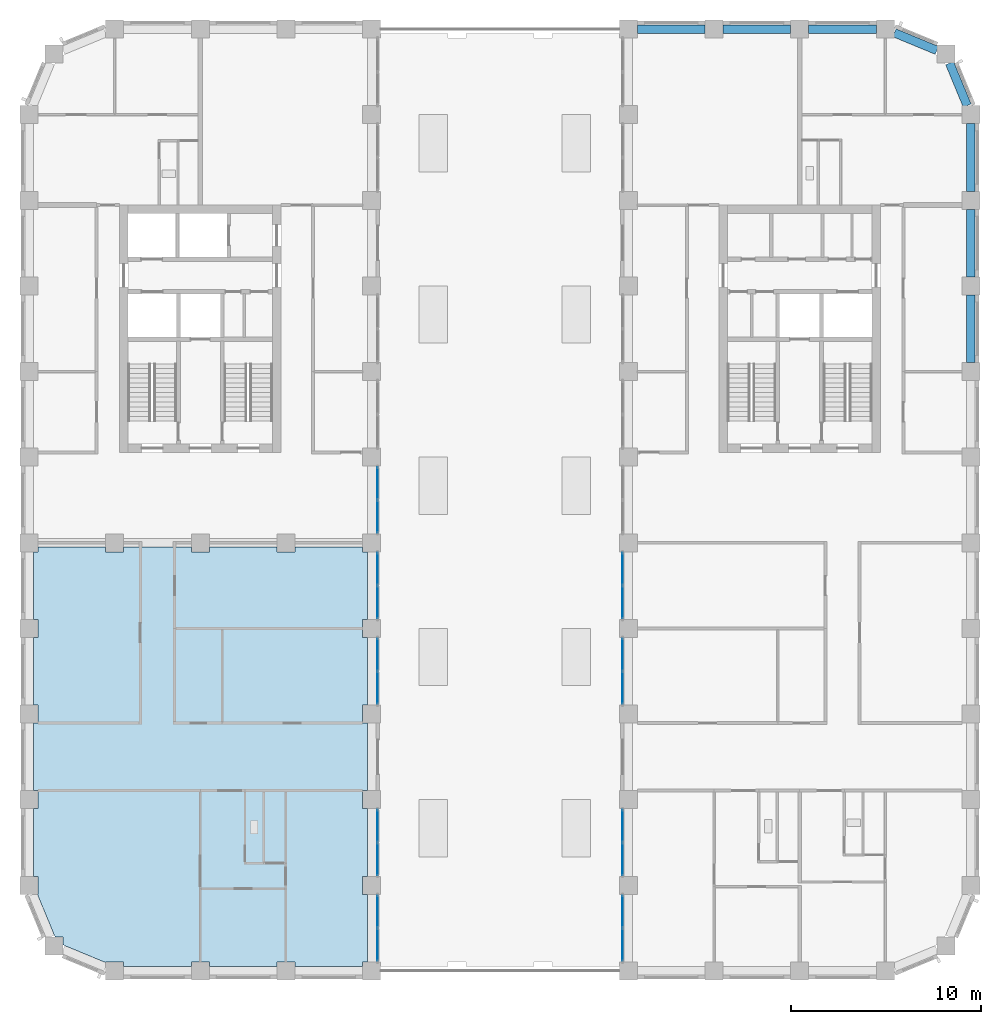
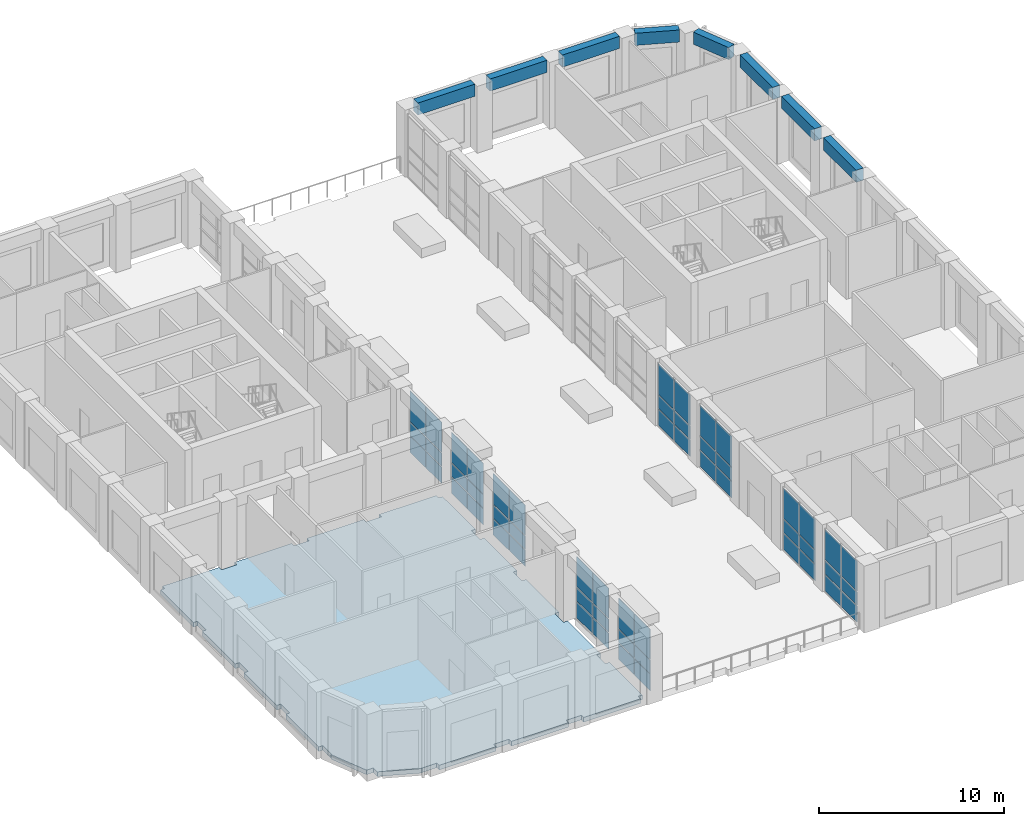
# One storey, part 7 of 20: 54 plates, 8 beams, 1 slab, 9 elements without a shape of their own.
"""IFC4 building model written with IfcOpenShell, lengths in metres."""

from ifc_helpers import new_model, si_unit, direction, frame, origin, origin_2d, place, context, subcontext, project, spatial, polyline, rectangle, outline, extrude, material, layer, layer_set, material_profile, profile_set, type_object, element, aggregate, save


model = new_model("IFC4")

# Units and contexts
model_context = context("Model", 3, precision=1e-05, world=origin(), true_north=direction((0.0, 1.0)))
body_context = subcontext(model_context, "Body", "Model", "MODEL_VIEW")
ifc_project = project(units=[si_unit("LENGTHUNIT", "METRE"), si_unit("AREAUNIT", "SQUARE_METRE"), si_unit("VOLUMEUNIT", "CUBIC_METRE"), si_unit("PLANEANGLEUNIT", "RADIAN"), si_unit("MASSUNIT", "GRAM", prefix="KILO")], contexts=[model_context])

# Site, building, storey
site_placement = place(None, origin())
site = spatial("IfcSite", under=ifc_project, at=site_placement, CompositionType="ELEMENT")
building_placement = place(site_placement, origin())
building = spatial("IfcBuilding", under=site, at=building_placement, Name="Girih Gate Residences", CompositionType="ELEMENT")
storey_placement = place(building_placement, frame((0.0, 0.0, 146.199951171875)))
storey = spatial("IfcBuildingStorey", under=building, at=storey_placement, Name="L41", CompositionType="ELEMENT", Elevation=146.199951171875)

# Beams
ifc_material_1 = material(Name="Concrete C60/75", Category="concrete")
ifc_material_profile = material_profile(ifc_material_1, rectangle(XDim=0.449951171875, YDim=0.800048828125, at=origin_2d()))
ifc_profile_set = profile_set([ifc_material_profile], Name="Concrete C60/75")
beam_type = type_object("IfcBeamType", Name="Spandrel girder RC 450x800 Concrete C60/75", PredefinedType="BEAM", material=ifc_profile_set)
for number, where, z_axis, x_axis, name in (
    (1, (49.5, 31.97509765625, 4.0), (0.0, 1.0, 0.0), (-1.0, 0.0, 0.0), "Spandrel girder SP-P12H-P12I L41"),
    (2, (49.5, 36.47509765625, 4.0), (0.0, 1.0, 0.0), (-1.0, 0.0, 0.0), "Spandrel girder SP-P12I-P12J L41"),
    (3, (49.5, 40.97509765625, 4.0), (0.0, 1.0, 0.0), (-1.0, 0.0, 0.0), "Spandrel girder SP-P12J-P12K L41"),
):
    element("IfcBeam", number, at=place(storey_placement, frame(where, z_axis=z_axis, x_axis=x_axis)), inside=storey, type_object=beam_type, Name=name, PredefinedType="BEAM", context=body_context, shape_type="SweptSolid", body=[
        extrude(rectangle(XDim=0.449951171875, YDim=0.800048828125, at=origin_2d()), origin(), (0.0, 0.0, 1.0), 3.5498046875),
    ])
for number, where, z_axis, x_axis, name in (
    (4, (49.30322265625, 45.47509765625, 4.0), (-0.382705825988, 0.923870256451, 0.0), (-0.923870256451, -0.382705825988, 0.0), "Spandrel girder SP-P12K-P12LSW L41"),
    (5, (47.70703125, 48.378662109375, 4.0), (-0.923870256451, 0.382705825988, 0.0), (-0.382705825988, -0.923870256451, 0.0), "Spandrel girder SP-P12LSW-P11L L41"),
):
    element("IfcBeam", number, at=place(storey_placement, frame(where, z_axis=z_axis, x_axis=x_axis)), inside=storey, type_object=beam_type, Name=name, PredefinedType="BEAM", context=body_context, shape_type="SweptSolid", body=[
        extrude(rectangle(XDim=0.449951171875, YDim=0.800048828125, at=origin_2d()), origin(), (0.0, 0.0, 1.0), 2.415771484375),
    ])
for number, where, z_axis, x_axis, name in (
    (6, (44.52490234375, 49.5, 4.0), (-1.0, 0.0, 0.0), (0.0, -1.0, 0.0), "Spandrel girder SP-P11L-P10L L41"),
    (7, (40.02490234375, 49.5, 4.0), (-1.0, 0.0, 0.0), (0.0, -1.0, 0.0), "Spandrel girder SP-P10L-P9L L41"),
    (8, (35.52490234375, 49.5, 4.0), (-1.0, 0.0, 0.0), (0.0, -1.0, 0.0), "Spandrel girder SP-P9L-P8L L41"),
):
    element("IfcBeam", number, at=place(storey_placement, frame(where, z_axis=z_axis, x_axis=x_axis)), inside=storey, type_object=beam_type, Name=name, PredefinedType="BEAM", context=body_context, shape_type="SweptSolid", body=[
        extrude(rectangle(XDim=0.449951171875, YDim=0.800048828125, at=origin_2d()), origin(), (0.0, 0.0, 1.0), 3.5498046875),
    ])

# Curtain wall, plates
ifc_material_2 = material(Name="Aluminium curtain wall frame", Category="aluminium")
curtain_wall_type = type_object("IfcCurtainWallType", Name="Curtain wall CW-3 sky lounge glazing", PredefinedType="NOTDEFINED", material=ifc_material_2)
curtain_wall_1_placement = place(storey_placement, origin())
curtain_wall_1 = element("IfcCurtainWall", 9, at=curtain_wall_1_placement, inside=storey, type_object=curtain_wall_type, Name="CW-3 Sky lounge glazing E0180_0000.0", PredefinedType="NOTDEFINED")
ifc_material_3 = material(Name="Triple glazed unit")
ifc_layer_1 = layer(ifc_material_3, 0.0439453125)
ifc_layer_set_1 = layer_set([ifc_layer_1], Name="Curtain wall glass panel 44")
plate_type = type_object("IfcPlateType", Name="Curtain wall glass panel 44", PredefinedType="CURTAIN_PANEL", material=ifc_layer_set_1)
plate_1_placement = place(storey_placement, frame((18.31494140625, 1.37744140625, 0.06005859375), z_axis=(0.0, 0.0, 1.0), x_axis=(0.0, 1.0, 0.0)))
plate_1 = element("IfcPlate", 10, at=plate_1_placement, type_object=plate_type, Name="CW-3 panel 1.1", PredefinedType="CURTAIN_PANEL", context=body_context, shape_type="SweptSolid", body=[
    extrude(rectangle(XDim=1.68505859375, YDim=0.028076171875, at=origin_2d()), origin(), (0.0, 0.0, 1.0), 1.06005859375),
])
plate_2_placement = place(storey_placement, frame((18.31494140625, 1.37744140625, 1.18017578125), z_axis=(0.0, 0.0, 1.0), x_axis=(0.0, 1.0, 0.0)))
plate_2 = element("IfcPlate", 11, at=plate_2_placement, type_object=plate_type, Name="CW-3 panel 1.2", PredefinedType="CURTAIN_PANEL", context=body_context, shape_type="SweptSolid", body=[
    extrude(rectangle(XDim=1.68505859375, YDim=0.028076171875, at=origin_2d()), origin(), (0.0, 0.0, 1.0), 0.864990234375),
])
plate_3_placement = place(storey_placement, frame((18.31494140625, 1.37744140625, 2.10498046875), z_axis=(0.0, 0.0, 1.0), x_axis=(0.0, 1.0, 0.0)))
plate_3 = element("IfcPlate", 12, at=plate_3_placement, type_object=plate_type, Name="CW-3 panel 1.3", PredefinedType="CURTAIN_PANEL", context=body_context, shape_type="SweptSolid", body=[
    extrude(rectangle(XDim=1.68505859375, YDim=0.028076171875, at=origin_2d()), origin(), (0.0, 0.0, 1.0), 1.985107421875),
])
plate_4_placement = place(storey_placement, frame((18.31494140625, 3.12255859375, 0.06005859375), z_axis=(0.0, 0.0, 1.0), x_axis=(0.0, 1.0, 0.0)))
plate_4 = element("IfcPlate", 13, at=plate_4_placement, type_object=plate_type, Name="CW-3 panel 2.1", PredefinedType="CURTAIN_PANEL", context=body_context, shape_type="SweptSolid", body=[
    extrude(rectangle(XDim=1.68505859375, YDim=0.028076171875, at=origin_2d()), origin(), (0.0, 0.0, 1.0), 1.06005859375),
])
plate_5_placement = place(storey_placement, frame((18.31494140625, 3.12255859375, 1.18017578125), z_axis=(0.0, 0.0, 1.0), x_axis=(0.0, 1.0, 0.0)))
plate_5 = element("IfcPlate", 14, at=plate_5_placement, type_object=plate_type, Name="CW-3 panel 2.2", PredefinedType="CURTAIN_PANEL", context=body_context, shape_type="SweptSolid", body=[
    extrude(rectangle(XDim=1.68505859375, YDim=0.028076171875, at=origin_2d()), origin(), (0.0, 0.0, 1.0), 0.864990234375),
])
plate_6_placement = place(storey_placement, frame((18.31494140625, 3.12255859375, 2.10498046875), z_axis=(0.0, 0.0, 1.0), x_axis=(0.0, 1.0, 0.0)))
plate_6 = element("IfcPlate", 15, at=plate_6_placement, type_object=plate_type, Name="CW-3 panel 2.3", PredefinedType="CURTAIN_PANEL", context=body_context, shape_type="SweptSolid", body=[
    extrude(rectangle(XDim=1.68505859375, YDim=0.028076171875, at=origin_2d()), origin(), (0.0, 0.0, 1.0), 1.985107421875),
])
aggregate(curtain_wall_1, [plate_1, plate_2, plate_3, plate_4, plate_5, plate_6])

curtain_wall_2_placement = place(storey_placement, origin())
curtain_wall_2 = element("IfcCurtainWall", 16, at=curtain_wall_2_placement, inside=storey, type_object=curtain_wall_type, Name="CW-3 Sky lounge glazing E0180_0000.1", PredefinedType="NOTDEFINED")
plate_7_placement = place(storey_placement, frame((18.31494140625, 5.87744140625, 0.06005859375), z_axis=(0.0, 0.0, 1.0), x_axis=(0.0, 1.0, 0.0)))
plate_7 = element("IfcPlate", 17, at=plate_7_placement, type_object=plate_type, Name="CW-3 panel 1.1", PredefinedType="CURTAIN_PANEL", context=body_context, shape_type="SweptSolid", body=[
    extrude(rectangle(XDim=1.68505859375, YDim=0.028076171875, at=origin_2d()), origin(), (0.0, 0.0, 1.0), 1.06005859375),
])
plate_8_placement = place(storey_placement, frame((18.31494140625, 5.87744140625, 1.18017578125), z_axis=(0.0, 0.0, 1.0), x_axis=(0.0, 1.0, 0.0)))
plate_8 = element("IfcPlate", 18, at=plate_8_placement, type_object=plate_type, Name="CW-3 panel 1.2", PredefinedType="CURTAIN_PANEL", context=body_context, shape_type="SweptSolid", body=[
    extrude(rectangle(XDim=1.68505859375, YDim=0.028076171875, at=origin_2d()), origin(), (0.0, 0.0, 1.0), 0.864990234375),
])
plate_9_placement = place(storey_placement, frame((18.31494140625, 5.87744140625, 2.10498046875), z_axis=(0.0, 0.0, 1.0), x_axis=(0.0, 1.0, 0.0)))
plate_9 = element("IfcPlate", 19, at=plate_9_placement, type_object=plate_type, Name="CW-3 panel 1.3", PredefinedType="CURTAIN_PANEL", context=body_context, shape_type="SweptSolid", body=[
    extrude(rectangle(XDim=1.68505859375, YDim=0.028076171875, at=origin_2d()), origin(), (0.0, 0.0, 1.0), 1.985107421875),
])
plate_10_placement = place(storey_placement, frame((18.31494140625, 7.62255859375, 0.06005859375), z_axis=(0.0, 0.0, 1.0), x_axis=(0.0, 1.0, 0.0)))
plate_10 = element("IfcPlate", 20, at=plate_10_placement, type_object=plate_type, Name="CW-3 panel 2.1", PredefinedType="CURTAIN_PANEL", context=body_context, shape_type="SweptSolid", body=[
    extrude(rectangle(XDim=1.68505859375, YDim=0.028076171875, at=origin_2d()), origin(), (0.0, 0.0, 1.0), 1.06005859375),
])
plate_11_placement = place(storey_placement, frame((18.31494140625, 7.62255859375, 1.18017578125), z_axis=(0.0, 0.0, 1.0), x_axis=(0.0, 1.0, 0.0)))
plate_11 = element("IfcPlate", 21, at=plate_11_placement, type_object=plate_type, Name="CW-3 panel 2.2", PredefinedType="CURTAIN_PANEL", context=body_context, shape_type="SweptSolid", body=[
    extrude(rectangle(XDim=1.68505859375, YDim=0.028076171875, at=origin_2d()), origin(), (0.0, 0.0, 1.0), 0.864990234375),
])
plate_12_placement = place(storey_placement, frame((18.31494140625, 7.62255859375, 2.10498046875), z_axis=(0.0, 0.0, 1.0), x_axis=(0.0, 1.0, 0.0)))
plate_12 = element("IfcPlate", 22, at=plate_12_placement, type_object=plate_type, Name="CW-3 panel 2.3", PredefinedType="CURTAIN_PANEL", context=body_context, shape_type="SweptSolid", body=[
    extrude(rectangle(XDim=1.68505859375, YDim=0.028076171875, at=origin_2d()), origin(), (0.0, 0.0, 1.0), 1.985107421875),
])
aggregate(curtain_wall_2, [plate_7, plate_8, plate_9, plate_10, plate_11, plate_12])

curtain_wall_3_placement = place(storey_placement, origin())
curtain_wall_3 = element("IfcCurtainWall", 23, at=curtain_wall_3_placement, inside=storey, type_object=curtain_wall_type, Name="CW-3 Sky lounge glazing E0180_0000.3", PredefinedType="NOTDEFINED")
plate_13_placement = place(storey_placement, frame((18.31494140625, 14.87744140625, 0.06005859375), z_axis=(0.0, 0.0, 1.0), x_axis=(0.0, 1.0, 0.0)))
plate_13 = element("IfcPlate", 24, at=plate_13_placement, type_object=plate_type, Name="CW-3 panel 1.1", PredefinedType="CURTAIN_PANEL", context=body_context, shape_type="SweptSolid", body=[
    extrude(rectangle(XDim=1.68505859375, YDim=0.028076171875, at=origin_2d()), origin(), (0.0, 0.0, 1.0), 1.06005859375),
])
plate_14_placement = place(storey_placement, frame((18.31494140625, 14.87744140625, 1.18017578125), z_axis=(0.0, 0.0, 1.0), x_axis=(0.0, 1.0, 0.0)))
plate_14 = element("IfcPlate", 25, at=plate_14_placement, type_object=plate_type, Name="CW-3 panel 1.2", PredefinedType="CURTAIN_PANEL", context=body_context, shape_type="SweptSolid", body=[
    extrude(rectangle(XDim=1.68505859375, YDim=0.028076171875, at=origin_2d()), origin(), (0.0, 0.0, 1.0), 0.864990234375),
])
plate_15_placement = place(storey_placement, frame((18.31494140625, 14.87744140625, 2.10498046875), z_axis=(0.0, 0.0, 1.0), x_axis=(0.0, 1.0, 0.0)))
plate_15 = element("IfcPlate", 26, at=plate_15_placement, type_object=plate_type, Name="CW-3 panel 1.3", PredefinedType="CURTAIN_PANEL", context=body_context, shape_type="SweptSolid", body=[
    extrude(rectangle(XDim=1.68505859375, YDim=0.028076171875, at=origin_2d()), origin(), (0.0, 0.0, 1.0), 1.985107421875),
])
plate_16_placement = place(storey_placement, frame((18.31494140625, 16.62255859375, 0.06005859375), z_axis=(0.0, 0.0, 1.0), x_axis=(0.0, 1.0, 0.0)))
plate_16 = element("IfcPlate", 27, at=plate_16_placement, type_object=plate_type, Name="CW-3 panel 2.1", PredefinedType="CURTAIN_PANEL", context=body_context, shape_type="SweptSolid", body=[
    extrude(rectangle(XDim=1.68505859375, YDim=0.028076171875, at=origin_2d()), origin(), (0.0, 0.0, 1.0), 1.06005859375),
])
plate_17_placement = place(storey_placement, frame((18.31494140625, 16.62255859375, 1.18017578125), z_axis=(0.0, 0.0, 1.0), x_axis=(0.0, 1.0, 0.0)))
plate_17 = element("IfcPlate", 28, at=plate_17_placement, type_object=plate_type, Name="CW-3 panel 2.2", PredefinedType="CURTAIN_PANEL", context=body_context, shape_type="SweptSolid", body=[
    extrude(rectangle(XDim=1.68505859375, YDim=0.028076171875, at=origin_2d()), origin(), (0.0, 0.0, 1.0), 0.864990234375),
])
plate_18_placement = place(storey_placement, frame((18.31494140625, 16.62255859375, 2.10498046875), z_axis=(0.0, 0.0, 1.0), x_axis=(0.0, 1.0, 0.0)))
plate_18 = element("IfcPlate", 29, at=plate_18_placement, type_object=plate_type, Name="CW-3 panel 2.3", PredefinedType="CURTAIN_PANEL", context=body_context, shape_type="SweptSolid", body=[
    extrude(rectangle(XDim=1.68505859375, YDim=0.028076171875, at=origin_2d()), origin(), (0.0, 0.0, 1.0), 1.985107421875),
])
aggregate(curtain_wall_3, [plate_13, plate_14, plate_15, plate_16, plate_17, plate_18])

curtain_wall_4_placement = place(storey_placement, origin())
curtain_wall_4 = element("IfcCurtainWall", 30, at=curtain_wall_4_placement, inside=storey, type_object=curtain_wall_type, Name="CW-3 Sky lounge glazing E0180_0000.4", PredefinedType="NOTDEFINED")
plate_19_placement = place(storey_placement, frame((18.31494140625, 19.37744140625, 0.06005859375), z_axis=(0.0, 0.0, 1.0), x_axis=(0.0, 1.0, 0.0)))
plate_19 = element("IfcPlate", 31, at=plate_19_placement, type_object=plate_type, Name="CW-3 panel 1.1", PredefinedType="CURTAIN_PANEL", context=body_context, shape_type="SweptSolid", body=[
    extrude(rectangle(XDim=1.68505859375, YDim=0.028076171875, at=origin_2d()), origin(), (0.0, 0.0, 1.0), 1.06005859375),
])
plate_20_placement = place(storey_placement, frame((18.31494140625, 19.37744140625, 1.18017578125), z_axis=(0.0, 0.0, 1.0), x_axis=(0.0, 1.0, 0.0)))
plate_20 = element("IfcPlate", 32, at=plate_20_placement, type_object=plate_type, Name="CW-3 panel 1.2", PredefinedType="CURTAIN_PANEL", context=body_context, shape_type="SweptSolid", body=[
    extrude(rectangle(XDim=1.68505859375, YDim=0.028076171875, at=origin_2d()), origin(), (0.0, 0.0, 1.0), 0.864990234375),
])
plate_21_placement = place(storey_placement, frame((18.31494140625, 19.37744140625, 2.10498046875), z_axis=(0.0, 0.0, 1.0), x_axis=(0.0, 1.0, 0.0)))
plate_21 = element("IfcPlate", 33, at=plate_21_placement, type_object=plate_type, Name="CW-3 panel 1.3", PredefinedType="CURTAIN_PANEL", context=body_context, shape_type="SweptSolid", body=[
    extrude(rectangle(XDim=1.68505859375, YDim=0.028076171875, at=origin_2d()), origin(), (0.0, 0.0, 1.0), 1.985107421875),
])
plate_22_placement = place(storey_placement, frame((18.31494140625, 21.12255859375, 0.06005859375), z_axis=(0.0, 0.0, 1.0), x_axis=(0.0, 1.0, 0.0)))
plate_22 = element("IfcPlate", 34, at=plate_22_placement, type_object=plate_type, Name="CW-3 panel 2.1", PredefinedType="CURTAIN_PANEL", context=body_context, shape_type="SweptSolid", body=[
    extrude(rectangle(XDim=1.68505859375, YDim=0.028076171875, at=origin_2d()), origin(), (0.0, 0.0, 1.0), 1.06005859375),
])
plate_23_placement = place(storey_placement, frame((18.31494140625, 21.12255859375, 1.18017578125), z_axis=(0.0, 0.0, 1.0), x_axis=(0.0, 1.0, 0.0)))
plate_23 = element("IfcPlate", 35, at=plate_23_placement, type_object=plate_type, Name="CW-3 panel 2.2", PredefinedType="CURTAIN_PANEL", context=body_context, shape_type="SweptSolid", body=[
    extrude(rectangle(XDim=1.68505859375, YDim=0.028076171875, at=origin_2d()), origin(), (0.0, 0.0, 1.0), 0.864990234375),
])
plate_24_placement = place(storey_placement, frame((18.31494140625, 21.12255859375, 2.10498046875), z_axis=(0.0, 0.0, 1.0), x_axis=(0.0, 1.0, 0.0)))
plate_24 = element("IfcPlate", 36, at=plate_24_placement, type_object=plate_type, Name="CW-3 panel 2.3", PredefinedType="CURTAIN_PANEL", context=body_context, shape_type="SweptSolid", body=[
    extrude(rectangle(XDim=1.68505859375, YDim=0.028076171875, at=origin_2d()), origin(), (0.0, 0.0, 1.0), 1.985107421875),
])
aggregate(curtain_wall_4, [plate_19, plate_20, plate_21, plate_22, plate_23, plate_24])

curtain_wall_5_placement = place(storey_placement, origin())
curtain_wall_5 = element("IfcCurtainWall", 37, at=curtain_wall_5_placement, inside=storey, type_object=curtain_wall_type, Name="CW-3 Sky lounge glazing E0180_0000.5", PredefinedType="NOTDEFINED")
plate_25_placement = place(storey_placement, frame((18.31494140625, 23.87744140625, 0.06005859375), z_axis=(0.0, 0.0, 1.0), x_axis=(0.0, 1.0, 0.0)))
plate_25 = element("IfcPlate", 38, at=plate_25_placement, type_object=plate_type, Name="CW-3 panel 1.1", PredefinedType="CURTAIN_PANEL", context=body_context, shape_type="SweptSolid", body=[
    extrude(rectangle(XDim=1.68505859375, YDim=0.028076171875, at=origin_2d()), origin(), (0.0, 0.0, 1.0), 1.06005859375),
])
plate_26_placement = place(storey_placement, frame((18.31494140625, 23.87744140625, 1.18017578125), z_axis=(0.0, 0.0, 1.0), x_axis=(0.0, 1.0, 0.0)))
plate_26 = element("IfcPlate", 39, at=plate_26_placement, type_object=plate_type, Name="CW-3 panel 1.2", PredefinedType="CURTAIN_PANEL", context=body_context, shape_type="SweptSolid", body=[
    extrude(rectangle(XDim=1.68505859375, YDim=0.028076171875, at=origin_2d()), origin(), (0.0, 0.0, 1.0), 0.864990234375),
])
plate_27_placement = place(storey_placement, frame((18.31494140625, 23.87744140625, 2.10498046875), z_axis=(0.0, 0.0, 1.0), x_axis=(0.0, 1.0, 0.0)))
plate_27 = element("IfcPlate", 40, at=plate_27_placement, type_object=plate_type, Name="CW-3 panel 1.3", PredefinedType="CURTAIN_PANEL", context=body_context, shape_type="SweptSolid", body=[
    extrude(rectangle(XDim=1.68505859375, YDim=0.028076171875, at=origin_2d()), origin(), (0.0, 0.0, 1.0), 1.985107421875),
])
plate_28_placement = place(storey_placement, frame((18.31494140625, 25.62255859375, 0.06005859375), z_axis=(0.0, 0.0, 1.0), x_axis=(0.0, 1.0, 0.0)))
plate_28 = element("IfcPlate", 41, at=plate_28_placement, type_object=plate_type, Name="CW-3 panel 2.1", PredefinedType="CURTAIN_PANEL", context=body_context, shape_type="SweptSolid", body=[
    extrude(rectangle(XDim=1.68505859375, YDim=0.028076171875, at=origin_2d()), origin(), (0.0, 0.0, 1.0), 1.06005859375),
])
plate_29_placement = place(storey_placement, frame((18.31494140625, 25.62255859375, 1.18017578125), z_axis=(0.0, 0.0, 1.0), x_axis=(0.0, 1.0, 0.0)))
plate_29 = element("IfcPlate", 42, at=plate_29_placement, type_object=plate_type, Name="CW-3 panel 2.2", PredefinedType="CURTAIN_PANEL", context=body_context, shape_type="SweptSolid", body=[
    extrude(rectangle(XDim=1.68505859375, YDim=0.028076171875, at=origin_2d()), origin(), (0.0, 0.0, 1.0), 0.864990234375),
])
plate_30_placement = place(storey_placement, frame((18.31494140625, 25.62255859375, 2.10498046875), z_axis=(0.0, 0.0, 1.0), x_axis=(0.0, 1.0, 0.0)))
plate_30 = element("IfcPlate", 43, at=plate_30_placement, type_object=plate_type, Name="CW-3 panel 2.3", PredefinedType="CURTAIN_PANEL", context=body_context, shape_type="SweptSolid", body=[
    extrude(rectangle(XDim=1.68505859375, YDim=0.028076171875, at=origin_2d()), origin(), (0.0, 0.0, 1.0), 1.985107421875),
])
aggregate(curtain_wall_5, [plate_25, plate_26, plate_27, plate_28, plate_29, plate_30])

curtain_wall_6_placement = place(storey_placement, origin())
curtain_wall_6 = element("IfcCurtainWall", 44, at=curtain_wall_6_placement, inside=storey, type_object=curtain_wall_type, Name="CW-3 Sky lounge glazing W0315_0495.6", PredefinedType="NOTDEFINED")
plate_31_placement = place(storey_placement, frame((31.18505859375, 21.12255859375, 0.06005859375), z_axis=(0.0, 0.0, 1.0), x_axis=(0.0, -1.0, 0.0)))
plate_31 = element("IfcPlate", 45, at=plate_31_placement, type_object=plate_type, Name="CW-3 panel 1.1", PredefinedType="CURTAIN_PANEL", context=body_context, shape_type="SweptSolid", body=[
    extrude(rectangle(XDim=1.68505859375, YDim=0.028076171875, at=origin_2d()), origin(), (0.0, 0.0, 1.0), 1.06005859375),
])
plate_32_placement = place(storey_placement, frame((31.18505859375, 21.12255859375, 1.18017578125), z_axis=(0.0, 0.0, 1.0), x_axis=(0.0, -1.0, 0.0)))
plate_32 = element("IfcPlate", 46, at=plate_32_placement, type_object=plate_type, Name="CW-3 panel 1.2", PredefinedType="CURTAIN_PANEL", context=body_context, shape_type="SweptSolid", body=[
    extrude(rectangle(XDim=1.68505859375, YDim=0.028076171875, at=origin_2d()), origin(), (0.0, 0.0, 1.0), 0.864990234375),
])
plate_33_placement = place(storey_placement, frame((31.18505859375, 21.12255859375, 2.10498046875), z_axis=(0.0, 0.0, 1.0), x_axis=(0.0, -1.0, 0.0)))
plate_33 = element("IfcPlate", 47, at=plate_33_placement, type_object=plate_type, Name="CW-3 panel 1.3", PredefinedType="CURTAIN_PANEL", context=body_context, shape_type="SweptSolid", body=[
    extrude(rectangle(XDim=1.68505859375, YDim=0.028076171875, at=origin_2d()), origin(), (0.0, 0.0, 1.0), 1.985107421875),
])
plate_34_placement = place(storey_placement, frame((31.18505859375, 19.37744140625, 0.06005859375), z_axis=(0.0, 0.0, 1.0), x_axis=(0.0, -1.0, 0.0)))
plate_34 = element("IfcPlate", 48, at=plate_34_placement, type_object=plate_type, Name="CW-3 panel 2.1", PredefinedType="CURTAIN_PANEL", context=body_context, shape_type="SweptSolid", body=[
    extrude(rectangle(XDim=1.68505859375, YDim=0.028076171875, at=origin_2d()), origin(), (0.0, 0.0, 1.0), 1.06005859375),
])
plate_35_placement = place(storey_placement, frame((31.18505859375, 19.37744140625, 1.18017578125), z_axis=(0.0, 0.0, 1.0), x_axis=(0.0, -1.0, 0.0)))
plate_35 = element("IfcPlate", 49, at=plate_35_placement, type_object=plate_type, Name="CW-3 panel 2.2", PredefinedType="CURTAIN_PANEL", context=body_context, shape_type="SweptSolid", body=[
    extrude(rectangle(XDim=1.68505859375, YDim=0.028076171875, at=origin_2d()), origin(), (0.0, 0.0, 1.0), 0.864990234375),
])
plate_36_placement = place(storey_placement, frame((31.18505859375, 19.37744140625, 2.10498046875), z_axis=(0.0, 0.0, 1.0), x_axis=(0.0, -1.0, 0.0)))
plate_36 = element("IfcPlate", 50, at=plate_36_placement, type_object=plate_type, Name="CW-3 panel 2.3", PredefinedType="CURTAIN_PANEL", context=body_context, shape_type="SweptSolid", body=[
    extrude(rectangle(XDim=1.68505859375, YDim=0.028076171875, at=origin_2d()), origin(), (0.0, 0.0, 1.0), 1.985107421875),
])
aggregate(curtain_wall_6, [plate_31, plate_32, plate_33, plate_34, plate_35, plate_36])

curtain_wall_7_placement = place(storey_placement, origin())
curtain_wall_7 = element("IfcCurtainWall", 51, at=curtain_wall_7_placement, inside=storey, type_object=curtain_wall_type, Name="CW-3 Sky lounge glazing W0315_0495.7", PredefinedType="NOTDEFINED")
plate_37_placement = place(storey_placement, frame((31.18505859375, 16.62255859375, 0.06005859375), z_axis=(0.0, 0.0, 1.0), x_axis=(0.0, -1.0, 0.0)))
plate_37 = element("IfcPlate", 52, at=plate_37_placement, type_object=plate_type, Name="CW-3 panel 1.1", PredefinedType="CURTAIN_PANEL", context=body_context, shape_type="SweptSolid", body=[
    extrude(rectangle(XDim=1.68505859375, YDim=0.028076171875, at=origin_2d()), origin(), (0.0, 0.0, 1.0), 1.06005859375),
])
plate_38_placement = place(storey_placement, frame((31.18505859375, 16.62255859375, 1.18017578125), z_axis=(0.0, 0.0, 1.0), x_axis=(0.0, -1.0, 0.0)))
plate_38 = element("IfcPlate", 53, at=plate_38_placement, type_object=plate_type, Name="CW-3 panel 1.2", PredefinedType="CURTAIN_PANEL", context=body_context, shape_type="SweptSolid", body=[
    extrude(rectangle(XDim=1.68505859375, YDim=0.028076171875, at=origin_2d()), origin(), (0.0, 0.0, 1.0), 0.864990234375),
])
plate_39_placement = place(storey_placement, frame((31.18505859375, 16.62255859375, 2.10498046875), z_axis=(0.0, 0.0, 1.0), x_axis=(0.0, -1.0, 0.0)))
plate_39 = element("IfcPlate", 54, at=plate_39_placement, type_object=plate_type, Name="CW-3 panel 1.3", PredefinedType="CURTAIN_PANEL", context=body_context, shape_type="SweptSolid", body=[
    extrude(rectangle(XDim=1.68505859375, YDim=0.028076171875, at=origin_2d()), origin(), (0.0, 0.0, 1.0), 1.985107421875),
])
plate_40_placement = place(storey_placement, frame((31.18505859375, 14.87744140625, 0.06005859375), z_axis=(0.0, 0.0, 1.0), x_axis=(0.0, -1.0, 0.0)))
plate_40 = element("IfcPlate", 55, at=plate_40_placement, type_object=plate_type, Name="CW-3 panel 2.1", PredefinedType="CURTAIN_PANEL", context=body_context, shape_type="SweptSolid", body=[
    extrude(rectangle(XDim=1.68505859375, YDim=0.028076171875, at=origin_2d()), origin(), (0.0, 0.0, 1.0), 1.06005859375),
])
plate_41_placement = place(storey_placement, frame((31.18505859375, 14.87744140625, 1.18017578125), z_axis=(0.0, 0.0, 1.0), x_axis=(0.0, -1.0, 0.0)))
plate_41 = element("IfcPlate", 56, at=plate_41_placement, type_object=plate_type, Name="CW-3 panel 2.2", PredefinedType="CURTAIN_PANEL", context=body_context, shape_type="SweptSolid", body=[
    extrude(rectangle(XDim=1.68505859375, YDim=0.028076171875, at=origin_2d()), origin(), (0.0, 0.0, 1.0), 0.864990234375),
])
plate_42_placement = place(storey_placement, frame((31.18505859375, 14.87744140625, 2.10498046875), z_axis=(0.0, 0.0, 1.0), x_axis=(0.0, -1.0, 0.0)))
plate_42 = element("IfcPlate", 57, at=plate_42_placement, type_object=plate_type, Name="CW-3 panel 2.3", PredefinedType="CURTAIN_PANEL", context=body_context, shape_type="SweptSolid", body=[
    extrude(rectangle(XDim=1.68505859375, YDim=0.028076171875, at=origin_2d()), origin(), (0.0, 0.0, 1.0), 1.985107421875),
])
aggregate(curtain_wall_7, [plate_37, plate_38, plate_39, plate_40, plate_41, plate_42])

curtain_wall_8_placement = place(storey_placement, origin())
curtain_wall_8 = element("IfcCurtainWall", 58, at=curtain_wall_8_placement, inside=storey, type_object=curtain_wall_type, Name="CW-3 Sky lounge glazing W0315_0495.9", PredefinedType="NOTDEFINED")
plate_43_placement = place(storey_placement, frame((31.18505859375, 7.62255859375, 0.06005859375), z_axis=(0.0, 0.0, 1.0), x_axis=(0.0, -1.0, 0.0)))
plate_43 = element("IfcPlate", 59, at=plate_43_placement, type_object=plate_type, Name="CW-3 panel 1.1", PredefinedType="CURTAIN_PANEL", context=body_context, shape_type="SweptSolid", body=[
    extrude(rectangle(XDim=1.68505859375, YDim=0.028076171875, at=origin_2d()), origin(), (0.0, 0.0, 1.0), 1.06005859375),
])
plate_44_placement = place(storey_placement, frame((31.18505859375, 7.62255859375, 1.18017578125), z_axis=(0.0, 0.0, 1.0), x_axis=(0.0, -1.0, 0.0)))
plate_44 = element("IfcPlate", 60, at=plate_44_placement, type_object=plate_type, Name="CW-3 panel 1.2", PredefinedType="CURTAIN_PANEL", context=body_context, shape_type="SweptSolid", body=[
    extrude(rectangle(XDim=1.68505859375, YDim=0.028076171875, at=origin_2d()), origin(), (0.0, 0.0, 1.0), 0.864990234375),
])
plate_45_placement = place(storey_placement, frame((31.18505859375, 7.62255859375, 2.10498046875), z_axis=(0.0, 0.0, 1.0), x_axis=(0.0, -1.0, 0.0)))
plate_45 = element("IfcPlate", 61, at=plate_45_placement, type_object=plate_type, Name="CW-3 panel 1.3", PredefinedType="CURTAIN_PANEL", context=body_context, shape_type="SweptSolid", body=[
    extrude(rectangle(XDim=1.68505859375, YDim=0.028076171875, at=origin_2d()), origin(), (0.0, 0.0, 1.0), 1.985107421875),
])
plate_46_placement = place(storey_placement, frame((31.18505859375, 5.87744140625, 0.06005859375), z_axis=(0.0, 0.0, 1.0), x_axis=(0.0, -1.0, 0.0)))
plate_46 = element("IfcPlate", 62, at=plate_46_placement, type_object=plate_type, Name="CW-3 panel 2.1", PredefinedType="CURTAIN_PANEL", context=body_context, shape_type="SweptSolid", body=[
    extrude(rectangle(XDim=1.68505859375, YDim=0.028076171875, at=origin_2d()), origin(), (0.0, 0.0, 1.0), 1.06005859375),
])
plate_47_placement = place(storey_placement, frame((31.18505859375, 5.87744140625, 1.18017578125), z_axis=(0.0, 0.0, 1.0), x_axis=(0.0, -1.0, 0.0)))
plate_47 = element("IfcPlate", 63, at=plate_47_placement, type_object=plate_type, Name="CW-3 panel 2.2", PredefinedType="CURTAIN_PANEL", context=body_context, shape_type="SweptSolid", body=[
    extrude(rectangle(XDim=1.68505859375, YDim=0.028076171875, at=origin_2d()), origin(), (0.0, 0.0, 1.0), 0.864990234375),
])
plate_48_placement = place(storey_placement, frame((31.18505859375, 5.87744140625, 2.10498046875), z_axis=(0.0, 0.0, 1.0), x_axis=(0.0, -1.0, 0.0)))
plate_48 = element("IfcPlate", 64, at=plate_48_placement, type_object=plate_type, Name="CW-3 panel 2.3", PredefinedType="CURTAIN_PANEL", context=body_context, shape_type="SweptSolid", body=[
    extrude(rectangle(XDim=1.68505859375, YDim=0.028076171875, at=origin_2d()), origin(), (0.0, 0.0, 1.0), 1.985107421875),
])
aggregate(curtain_wall_8, [plate_43, plate_44, plate_45, plate_46, plate_47, plate_48])

curtain_wall_9_placement = place(storey_placement, origin())
curtain_wall_9 = element("IfcCurtainWall", 65, at=curtain_wall_9_placement, inside=storey, type_object=curtain_wall_type, Name="CW-3 Sky lounge glazing W0315_0495.10", PredefinedType="NOTDEFINED")
plate_49_placement = place(storey_placement, frame((31.18505859375, 3.12255859375, 0.06005859375), z_axis=(0.0, 0.0, 1.0), x_axis=(0.0, -1.0, 0.0)))
plate_49 = element("IfcPlate", 66, at=plate_49_placement, type_object=plate_type, Name="CW-3 panel 1.1", PredefinedType="CURTAIN_PANEL", context=body_context, shape_type="SweptSolid", body=[
    extrude(rectangle(XDim=1.68505859375, YDim=0.028076171875, at=origin_2d()), origin(), (0.0, 0.0, 1.0), 1.06005859375),
])
plate_50_placement = place(storey_placement, frame((31.18505859375, 3.12255859375, 1.18017578125), z_axis=(0.0, 0.0, 1.0), x_axis=(0.0, -1.0, 0.0)))
plate_50 = element("IfcPlate", 67, at=plate_50_placement, type_object=plate_type, Name="CW-3 panel 1.2", PredefinedType="CURTAIN_PANEL", context=body_context, shape_type="SweptSolid", body=[
    extrude(rectangle(XDim=1.68505859375, YDim=0.028076171875, at=origin_2d()), origin(), (0.0, 0.0, 1.0), 0.864990234375),
])
plate_51_placement = place(storey_placement, frame((31.18505859375, 3.12255859375, 2.10498046875), z_axis=(0.0, 0.0, 1.0), x_axis=(0.0, -1.0, 0.0)))
plate_51 = element("IfcPlate", 68, at=plate_51_placement, type_object=plate_type, Name="CW-3 panel 1.3", PredefinedType="CURTAIN_PANEL", context=body_context, shape_type="SweptSolid", body=[
    extrude(rectangle(XDim=1.68505859375, YDim=0.028076171875, at=origin_2d()), origin(), (0.0, 0.0, 1.0), 1.985107421875),
])
plate_52_placement = place(storey_placement, frame((31.18505859375, 1.37744140625, 0.06005859375), z_axis=(0.0, 0.0, 1.0), x_axis=(0.0, -1.0, 0.0)))
plate_52 = element("IfcPlate", 69, at=plate_52_placement, type_object=plate_type, Name="CW-3 panel 2.1", PredefinedType="CURTAIN_PANEL", context=body_context, shape_type="SweptSolid", body=[
    extrude(rectangle(XDim=1.68505859375, YDim=0.028076171875, at=origin_2d()), origin(), (0.0, 0.0, 1.0), 1.06005859375),
])
plate_53_placement = place(storey_placement, frame((31.18505859375, 1.37744140625, 1.18017578125), z_axis=(0.0, 0.0, 1.0), x_axis=(0.0, -1.0, 0.0)))
plate_53 = element("IfcPlate", 70, at=plate_53_placement, type_object=plate_type, Name="CW-3 panel 2.2", PredefinedType="CURTAIN_PANEL", context=body_context, shape_type="SweptSolid", body=[
    extrude(rectangle(XDim=1.68505859375, YDim=0.028076171875, at=origin_2d()), origin(), (0.0, 0.0, 1.0), 0.864990234375),
])
plate_54_placement = place(storey_placement, frame((31.18505859375, 1.37744140625, 2.10498046875), z_axis=(0.0, 0.0, 1.0), x_axis=(0.0, -1.0, 0.0)))
plate_54 = element("IfcPlate", 71, at=plate_54_placement, type_object=plate_type, Name="CW-3 panel 2.3", PredefinedType="CURTAIN_PANEL", context=body_context, shape_type="SweptSolid", body=[
    extrude(rectangle(XDim=1.68505859375, YDim=0.028076171875, at=origin_2d()), origin(), (0.0, 0.0, 1.0), 1.985107421875),
])
aggregate(curtain_wall_9, [plate_49, plate_50, plate_51, plate_52, plate_53, plate_54])

# Slab
ifc_material_4 = material(Name="Concrete C40/50", Category="concrete")
ifc_layer_2 = layer(ifc_material_4, 0.300048828125)
ifc_layer_set_2 = layer_set([ifc_layer_2], Name="Floor slab PT 300 Concrete C40/50")
slab_type = type_object("IfcSlabType", Name="Floor slab PT 300 Concrete C40/50", PredefinedType="FLOOR", material=ifc_layer_set_2)
slab_placement = place(storey_placement, frame((0.0, 0.0, -0.300048828125)))
element("IfcSlab", 72, at=slab_placement, inside=storey, type_object=slab_type, Name="Floor slab L41 0", PredefinedType="FLOOR", context=body_context, shape_type="SweptSolid", body=[
    extrude(outline(polyline([(13.97509765625, 0.22509765625), (17.52490234375, 0.22509765625), (17.52490234375, 0.47509765625), (17.77490234375, 0.47509765625), (17.77490234375, 4.02490234375), (17.52490234375, 4.02490234375), (17.52490234375, 4.97509765625), (17.77490234375, 4.97509765625), (17.77490234375, 8.52490234375), (17.52490234375, 8.52490234375), (17.52490234375, 9.47509765625), (17.77490234375, 9.47509765625), (17.77490234375, 13.02490234375), (17.52490234375, 13.02490234375), (17.52490234375, 13.97509765625), (17.77490234375, 13.97509765625), (17.77490234375, 17.52490234375), (17.52490234375, 17.52490234375), (17.52490234375, 18.47509765625), (17.77490234375, 18.47509765625), (17.77490234375, 22.02490234375), (17.52490234375, 22.02490234375), (17.52490234375, 22.27490234375), (13.97509765625, 22.27490234375), (13.97509765625, 22.02490234375), (13.02490234375, 22.02490234375), (13.02490234375, 22.27490234375), (9.47509765625, 22.27490234375), (9.47509765625, 22.02490234375), (8.52490234375, 22.02490234375), (8.52490234375, 22.27490234375), (4.97509765625, 22.27490234375), (4.97509765625, 22.02490234375), (4.02490234375, 22.02490234375), (4.02490234375, 22.27490234375), (0.47509765625, 22.27490234375), (0.47509765625, 22.02490234375), (0.22509765625, 22.02490234375), (0.22509765625, 18.47509765625), (0.47509765625, 18.47509765625), (0.47509765625, 17.52490234375), (0.22509765625, 17.52490234375), (0.22509765625, 13.97509765625), (0.47509765625, 13.97509765625), (0.47509765625, 13.02490234375), (0.22509765625, 13.02490234375), (0.22509765625, 9.47509765625), (0.47509765625, 9.47509765625), (0.47509765625, 8.52490234375), (0.22509765625, 8.52490234375), (0.22509765625, 4.97509765625), (0.47509765625, 4.97509765625), (0.47509765625, 4.02490234375), (0.440185546875, 4.02490234375), (1.36474609375, 1.79296875), (1.79296875, 1.79296875), (1.79296875, 1.36474609375), (4.02490234375, 0.440185546875), (4.02490234375, 0.47509765625), (4.97509765625, 0.47509765625), (4.97509765625, 0.22509765625), (8.52490234375, 0.22509765625), (8.52490234375, 0.47509765625), (9.47509765625, 0.47509765625), (9.47509765625, 0.22509765625), (13.02490234375, 0.22509765625), (13.02490234375, 0.47509765625), (13.97509765625, 0.47509765625), (13.97509765625, 0.22509765625)])), origin(), (0.0, 0.0, 1.0), 0.300048828125),
])

save(model, "model.ifc")
